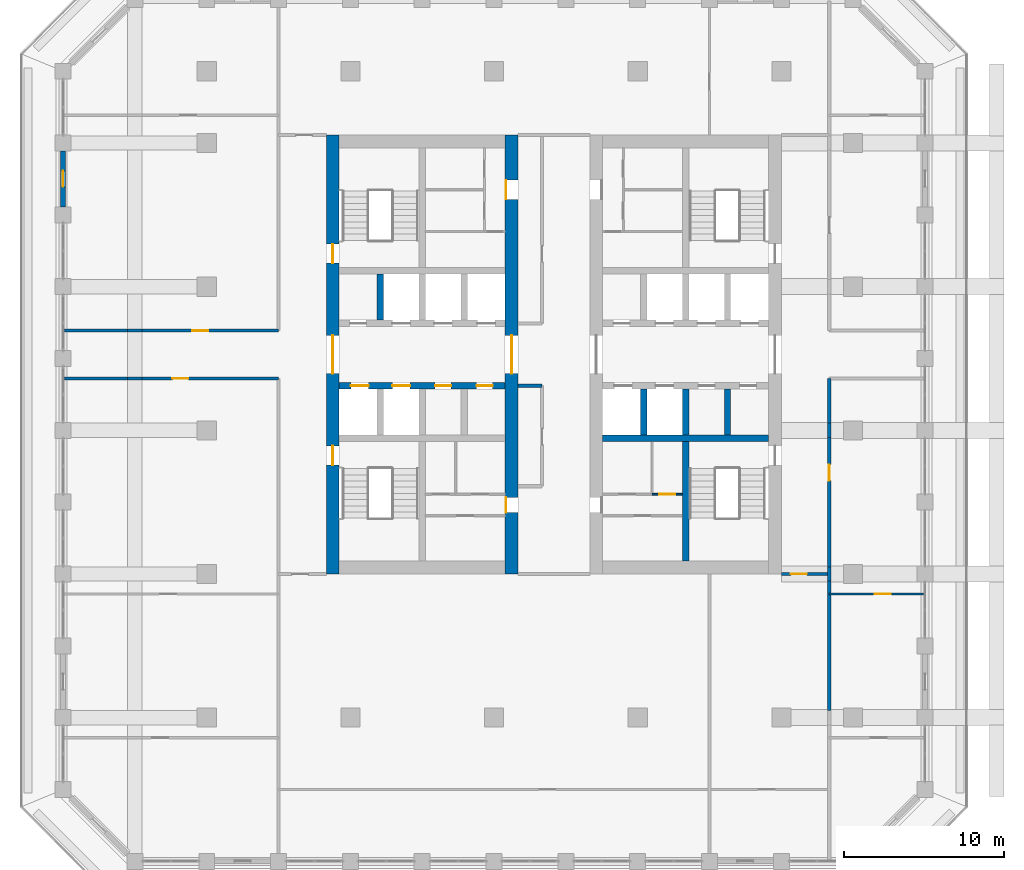
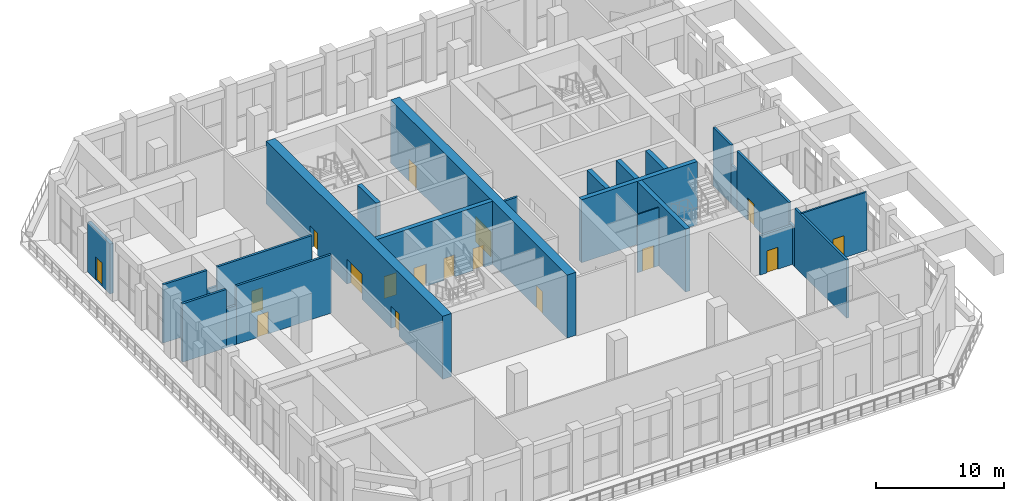
# One storey, part 14 of 25: 25 walls, 17 doors, 17 openings.
"""IFC4 building model written with IfcOpenShell, lengths in metres."""

from ifc_helpers import new_model, si_unit, direction, frame, frame_2d, origin, place, context, subcontext, project, spatial, rectangle, extrude, material, layer, layer_set, type_object, element, fill, save


model = new_model("IFC4")

# Units and contexts
model_context = context("Model", 3, precision=1e-05, world=origin(), true_north=direction((0.0, 1.0)))
body_context = subcontext(model_context, "Body", "Model", "MODEL_VIEW")
ifc_project = project(units=[si_unit("LENGTHUNIT", "METRE"), si_unit("AREAUNIT", "SQUARE_METRE"), si_unit("VOLUMEUNIT", "CUBIC_METRE"), si_unit("PLANEANGLEUNIT", "RADIAN"), si_unit("MASSUNIT", "GRAM", prefix="KILO")], contexts=[model_context])

# Site, building, storey
site_placement = place(None, origin())
site = spatial("IfcSite", under=ifc_project, at=site_placement, CompositionType="ELEMENT")
building_placement = place(site_placement, origin())
building = spatial("IfcBuilding", under=site, at=building_placement, Name="Corbel Stack Research Tower", CompositionType="ELEMENT")
storey_placement = place(building_placement, frame((0.0, 0.0, 185.5)))
storey = spatial("IfcBuildingStorey", under=building, at=storey_placement, Name="L42", CompositionType="ELEMENT", Elevation=185.5)

# Wall, openings, doors
ifc_material_1 = material(Name="Concrete C60/75", Category="concrete")
ifc_layer_1 = layer(ifc_material_1, 0.39990234375)
ifc_layer_set_1 = layer_set([ifc_layer_1], Name="Concrete C60/75")
wall_type_1 = type_object("IfcWallType", Name="CW-400-60", PredefinedType="SHEAR", material=ifc_layer_set_1)
wall_1_placement = place(storey_placement, frame((-9.699951171875, 2.800048828125, 0.0), z_axis=(0.0, 0.0, 1.0), x_axis=(1.0, 0.0, 0.0)))
wall_1 = element("IfcWall", 1, at=wall_1_placement, inside=storey, type_object=wall_type_1, Name="West core wall, lobby south L42", PredefinedType="SHEAR", context=body_context, shape_type="SweptSolid", body=[
    extrude(rectangle(XDim=10.39990234375, YDim=0.39990234375, at=frame_2d((5.199951171875, 0.0))), origin(), (0.0, 0.0, 1.0), 6.0),
])
opening_1_placement = place(wall_1_placement, frame((0.737548828125, 0.0, 0.0)))
opening_1 = element("IfcOpeningElement", 2, at=opening_1_placement, cuts=wall_1, Name="Opening LD-FS1", PredefinedType="OPENING", context=body_context, shape_type="SweptSolid", body=[
    extrude(rectangle(XDim=1.10009765625, YDim=2.10009765625, at=frame_2d((0.550048828125, 1.050048828125))), frame((0.0, 0.2099609375, 0.0), z_axis=(0.0, -1.0, 0.0), x_axis=(1.0, 0.0, 0.0)), (0.0, 0.0, 1.0), 0.419921875),
])
opening_2_placement = place(wall_1_placement, frame((3.33740234375, 0.0, 0.0)))
opening_2 = element("IfcOpeningElement", 3, at=opening_2_placement, cuts=wall_1, Name="Opening LD-GL1", PredefinedType="OPENING", context=body_context, shape_type="SweptSolid", body=[
    extrude(rectangle(XDim=1.10009765625, YDim=2.10009765625, at=frame_2d((0.550048828125, 1.050048828125))), frame((0.0, 0.2099609375, 0.0), z_axis=(0.0, -1.0, 0.0), x_axis=(1.0, 0.0, 0.0)), (0.0, 0.0, 1.0), 0.419921875),
])
opening_3_placement = place(wall_1_placement, frame((6.012451171875, 0.0, 0.0)))
opening_3 = element("IfcOpeningElement", 4, at=opening_3_placement, cuts=wall_1, Name="Opening CR-W24-S3", PredefinedType="OPENING", context=body_context, shape_type="SweptSolid", body=[
    extrude(rectangle(XDim=1.0, YDim=2.10009765625, at=frame_2d((0.5, 1.050048828125))), frame((0.0, 0.2099609375, 0.0), z_axis=(0.0, -1.0, 0.0), x_axis=(1.0, 0.0, 0.0)), (0.0, 0.0, 1.0), 0.419921875),
])
opening_4_placement = place(wall_1_placement, frame((8.612548828125, 0.0, 0.0)))
opening_4 = element("IfcOpeningElement", 5, at=opening_4_placement, cuts=wall_1, Name="Opening CR-W24-S4", PredefinedType="OPENING", context=body_context, shape_type="SweptSolid", body=[
    extrude(rectangle(XDim=1.0, YDim=2.10009765625, at=frame_2d((0.5, 1.050048828125))), frame((0.0, 0.2099609375, 0.0), z_axis=(0.0, -1.0, 0.0), x_axis=(1.0, 0.0, 0.0)), (0.0, 0.0, 1.0), 0.419921875),
])
ifc_material_2 = material(Name="Stainless steel landing door", Category="steel")
door_type_1 = type_object("IfcDoorType", Name="Lift landing door 1100 x 2100", OperationType="DOUBLE_DOOR_SLIDING", PredefinedType="DOOR", material=ifc_material_2)
door_1_placement = place(opening_1_placement, origin())
door_1 = element("IfcDoor", 6, at=door_1_placement, inside=storey, type_object=door_type_1, Name="Landing door FS1", OperationType="DOUBLE_DOOR_SLIDING", OverallHeight=2.10009765625, OverallWidth=1.10009765625, PredefinedType="DOOR", context=body_context, shape_type="SweptSolid", body=[
    extrude(rectangle(XDim=1.10009765625, YDim=2.10009765625, at=frame_2d((0.550048828125, 1.050048828125))), frame((0.0, 0.02490234375, 0.0), z_axis=(0.0, -1.0, 0.0), x_axis=(1.0, 0.0, 0.0)), (0.0, 0.0, 1.0), 0.050048828125),
])
fill(opening_1, door_1)
door_2_placement = place(opening_2_placement, origin())
door_2 = element("IfcDoor", 7, at=door_2_placement, inside=storey, type_object=door_type_1, Name="Landing door GL1", OperationType="DOUBLE_DOOR_SLIDING", OverallHeight=2.10009765625, OverallWidth=1.10009765625, PredefinedType="DOOR", context=body_context, shape_type="SweptSolid", body=[
    extrude(rectangle(XDim=1.10009765625, YDim=2.10009765625, at=frame_2d((0.550048828125, 1.050048828125))), frame((0.0, 0.02490234375, 0.0), z_axis=(0.0, -1.0, 0.0), x_axis=(1.0, 0.0, 0.0)), (0.0, 0.0, 1.0), 0.050048828125),
])
fill(opening_2, door_2)
ifc_material_3 = material(Name="Painted steel door", Category="steel")
door_type_2 = type_object("IfcDoorType", Name="Service door 1000 x 2100 FD60 left hand", OperationType="SINGLE_SWING_LEFT", PredefinedType="DOOR", material=ifc_material_3)
door_3_placement = place(opening_3_placement, origin())
door_3 = element("IfcDoor", 8, at=door_3_placement, inside=storey, type_object=door_type_2, Name="Records store door W core", OperationType="SINGLE_SWING_LEFT", OverallHeight=2.10009765625, OverallWidth=1.0, PredefinedType="DOOR", context=body_context, shape_type="SweptSolid", body=[
    extrude(rectangle(XDim=1.0, YDim=2.10009765625, at=frame_2d((0.5, 1.050048828125))), frame((0.0, 0.02490234375, 0.0), z_axis=(0.0, -1.0, 0.0), x_axis=(1.0, 0.0, 0.0)), (0.0, 0.0, 1.0), 0.050048828125),
])
fill(opening_3, door_3)
ifc_material_4 = material(Name="Painted steel door", Category="steel")
door_type_3 = type_object("IfcDoorType", Name="Service door 1000 x 2100 FD60 right hand", OperationType="SINGLE_SWING_RIGHT", PredefinedType="DOOR", material=ifc_material_4)
door_4_placement = place(opening_4_placement, origin())
door_4 = element("IfcDoor", 9, at=door_4_placement, inside=storey, type_object=door_type_3, Name="Electrical room door W core", OperationType="SINGLE_SWING_RIGHT", OverallHeight=2.10009765625, OverallWidth=1.0, PredefinedType="DOOR", context=body_context, shape_type="SweptSolid", body=[
    extrude(rectangle(XDim=1.0, YDim=2.10009765625, at=frame_2d((0.5, 1.050048828125))), frame((0.0, 0.02490234375, 0.0), z_axis=(0.0, -1.0, 0.0), x_axis=(1.0, 0.0, 0.0)), (0.0, 0.0, 1.0), 0.050048828125),
])
fill(opening_4, door_4)

# Walls
wall_2_placement = place(storey_placement, frame((-7.125, 6.89990234375, 0.0), z_axis=(0.0, 0.0, 1.0), x_axis=(0.0, 1.0, 0.0)))
element("IfcWall", 10, at=wall_2_placement, inside=storey, type_object=wall_type_1, Name="West core wall, north shaft 1 L42", PredefinedType="SHEAR", context=body_context, shape_type="SweptSolid", body=[
    extrude(rectangle(XDim=2.900146484375, YDim=0.39990234375, at=frame_2d((1.4501953125, 0.0))), origin(), (0.0, 0.0, 1.0), 6.0),
])
wall_3_placement = place(storey_placement, frame((6.800048828125, -0.5, 0.0), z_axis=(0.0, 0.0, 1.0), x_axis=(1.0, 0.0, 0.0)))
element("IfcWall", 11, at=wall_3_placement, inside=storey, type_object=wall_type_1, Name="East core wall, south row back L42", PredefinedType="SHEAR", context=body_context, shape_type="SweptSolid", body=[
    extrude(rectangle(XDim=10.39990234375, YDim=0.39990234375, at=frame_2d((5.199951171875, 0.0))), origin(), (0.0, 0.0, 1.0), 6.0),
])
for number, where, z_axis, x_axis, name in (
    (12, (9.375, -0.300048828125, 0.0), (0.0, 0.0, 1.0), (0.0, 1.0, 0.0), "East core wall, south shaft 1 L42"),
    (13, (12.0, -0.300048828125, 0.0), (0.0, 0.0, 1.0), (0.0, 1.0, 0.0), "East core wall, south shaft 2 L42"),
    (14, (14.625, -0.300048828125, 0.0), (0.0, 0.0, 1.0), (0.0, 1.0, 0.0), "East core wall, south shaft 3 L42"),
):
    element("IfcWall", number, at=place(storey_placement, frame(where, z_axis=z_axis, x_axis=x_axis)), inside=storey, type_object=wall_type_1, Name=name, PredefinedType="SHEAR", context=body_context, shape_type="SweptSolid", body=[
        extrude(rectangle(XDim=2.900146484375, YDim=0.39990234375, at=frame_2d((1.4501953125, 0.0))), origin(), (0.0, 0.0, 1.0), 6.0),
    ])
wall_4_placement = place(storey_placement, frame((12.0, -8.199951171875, 0.0), z_axis=(0.0, 0.0, 1.0), x_axis=(0.0, 1.0, 0.0)))
element("IfcWall", 15, at=wall_4_placement, inside=storey, type_object=wall_type_1, Name="East core wall, south stair and WC L42", PredefinedType="SHEAR", context=body_context, shape_type="SweptSolid", body=[
    extrude(rectangle(XDim=7.5, YDim=0.39990234375, at=frame_2d((3.75, 0.0))), origin(), (0.0, 0.0, 1.0), 6.0),
])

# Wall, openings, doors
ifc_material_5 = material(Name="Concrete C60/75", Category="concrete")
ifc_layer_2 = layer(ifc_material_5, 0.800048828125)
ifc_layer_set_2 = layer_set([ifc_layer_2], Name="Concrete C60/75")
wall_type_2 = type_object("IfcWallType", Name="CW-800-60", PredefinedType="SHEAR", material=ifc_layer_set_2)
wall_5_placement = place(storey_placement, frame((-10.10009765625, -9.0, 0.0), z_axis=(0.0, 0.0, 1.0), x_axis=(0.0, 1.0, 0.0)))
wall_5 = element("IfcWall", 16, at=wall_5_placement, inside=storey, type_object=wall_type_2, Name="West core wall, west face L42", PredefinedType="SHEAR", context=body_context, shape_type="SweptSolid", body=[
    extrude(rectangle(XDim=27.5, YDim=0.800048828125, at=frame_2d((13.75, 0.0))), origin(), (0.0, 0.0, 1.0), 6.0),
])
opening_5_placement = place(wall_5_placement, frame((12.550048828125, 0.0, 0.0)))
opening_5 = element("IfcOpeningElement", 17, at=opening_5_placement, cuts=wall_5, Name="Opening CD-W-W", PredefinedType="OPENING", context=body_context, shape_type="SweptSolid", body=[
    extrude(rectangle(XDim=2.39990234375, YDim=2.39990234375, at=frame_2d((1.199951171875, 1.199951171875))), frame((0.0, 0.409912109375, 0.0), z_axis=(0.0, -1.0, 0.0), x_axis=(1.0, 0.0, 0.0)), (0.0, 0.0, 1.0), 0.820068359375),
])
opening_6_placement = place(wall_5_placement, frame((6.824951171875, 0.0, 0.0)))
opening_6 = element("IfcOpeningElement", 18, at=opening_6_placement, cuts=wall_5, Name="Opening SD-ST-W1", PredefinedType="OPENING", context=body_context, shape_type="SweptSolid", body=[
    extrude(rectangle(XDim=1.199951171875, YDim=2.10009765625, at=frame_2d((0.60009765625, 1.050048828125))), frame((0.0, 0.409912109375, 0.0), z_axis=(0.0, -1.0, 0.0), x_axis=(1.0, 0.0, 0.0)), (0.0, 0.0, 1.0), 0.820068359375),
])
opening_7_placement = place(wall_5_placement, frame((19.47509765625, 0.0, 0.0)))
opening_7 = element("IfcOpeningElement", 19, at=opening_7_placement, cuts=wall_5, Name="Opening SD-ST-W2", PredefinedType="OPENING", context=body_context, shape_type="SweptSolid", body=[
    extrude(rectangle(XDim=1.199951171875, YDim=2.10009765625, at=frame_2d((0.60009765625, 1.050048828125))), frame((0.0, 0.409912109375, 0.0), z_axis=(0.0, -1.0, 0.0), x_axis=(1.0, 0.0, 0.0)), (0.0, 0.0, 1.0), 0.820068359375),
])
ifc_material_6 = material(Name="Painted steel fire door", Category="steel")
door_type_4 = type_object("IfcDoorType", Name="Lobby door pair 2400 x 2400 FD30S", OperationType="DOUBLE_DOOR_DOUBLE_SWING", PredefinedType="DOOR", material=ifc_material_6)
door_5_placement = place(opening_5_placement, origin())
door_5 = element("IfcDoor", 20, at=door_5_placement, inside=storey, type_object=door_type_4, Name="Lift lobby door W core W", OperationType="DOUBLE_DOOR_DOUBLE_SWING", OverallHeight=2.39990234375, OverallWidth=2.39990234375, PredefinedType="DOOR", context=body_context, shape_type="SweptSolid", body=[
    extrude(rectangle(XDim=2.39990234375, YDim=2.39990234375, at=frame_2d((1.199951171875, 1.199951171875))), frame((0.0, 0.02490234375, 0.0), z_axis=(0.0, -1.0, 0.0), x_axis=(1.0, 0.0, 0.0)), (0.0, 0.0, 1.0), 0.050048828125),
])
fill(opening_5, door_5)
ifc_material_7 = material(Name="Painted steel fire door", Category="steel")
door_type_5 = type_object("IfcDoorType", Name="Stair door 1200 x 2100 FD90 left hand", OperationType="SINGLE_SWING_LEFT", PredefinedType="DOOR", material=ifc_material_7)
door_6_placement = place(opening_6_placement, origin())
door_6 = element("IfcDoor", 21, at=door_6_placement, inside=storey, type_object=door_type_5, Name="Stair door ST-W1", OperationType="SINGLE_SWING_LEFT", OverallHeight=2.10009765625, OverallWidth=1.199951171875, PredefinedType="DOOR", context=body_context, shape_type="SweptSolid", body=[
    extrude(rectangle(XDim=1.199951171875, YDim=2.10009765625, at=frame_2d((0.60009765625, 1.050048828125))), frame((0.0, 0.02490234375, 0.0), z_axis=(0.0, -1.0, 0.0), x_axis=(1.0, 0.0, 0.0)), (0.0, 0.0, 1.0), 0.050048828125),
])
fill(opening_6, door_6)
door_7_placement = place(opening_7_placement, origin())
door_7 = element("IfcDoor", 22, at=door_7_placement, inside=storey, type_object=door_type_5, Name="Stair door ST-W2", OperationType="SINGLE_SWING_LEFT", OverallHeight=2.10009765625, OverallWidth=1.199951171875, PredefinedType="DOOR", context=body_context, shape_type="SweptSolid", body=[
    extrude(rectangle(XDim=1.199951171875, YDim=2.10009765625, at=frame_2d((0.60009765625, 1.050048828125))), frame((0.0, 0.02490234375, 0.0), z_axis=(0.0, -1.0, 0.0), x_axis=(1.0, 0.0, 0.0)), (0.0, 0.0, 1.0), 0.050048828125),
])
fill(opening_7, door_7)

wall_6_placement = place(storey_placement, frame((1.10009765625, -9.0, 0.0), z_axis=(0.0, 0.0, 1.0), x_axis=(0.0, 1.0, 0.0)))
wall_6 = element("IfcWall", 23, at=wall_6_placement, inside=storey, type_object=wall_type_2, Name="West core wall, east face L42", PredefinedType="SHEAR", context=body_context, shape_type="SweptSolid", body=[
    extrude(rectangle(XDim=27.5, YDim=0.800048828125, at=frame_2d((13.75, 0.0))), origin(), (0.0, 0.0, 1.0), 6.0),
])
opening_8_placement = place(wall_6_placement, frame((12.550048828125, 0.0, 0.0)))
opening_8 = element("IfcOpeningElement", 24, at=opening_8_placement, cuts=wall_6, Name="Opening CD-W-E", PredefinedType="OPENING", context=body_context, shape_type="SweptSolid", body=[
    extrude(rectangle(XDim=2.39990234375, YDim=2.39990234375, at=frame_2d((1.199951171875, 1.199951171875))), frame((0.0, 0.409912109375, 0.0), z_axis=(0.0, -1.0, 0.0), x_axis=(1.0, 0.0, 0.0)), (0.0, 0.0, 1.0), 0.820068359375),
])
opening_9_placement = place(wall_6_placement, frame((3.85009765625, 0.0, 0.0)))
opening_9 = element("IfcOpeningElement", 25, at=opening_9_placement, cuts=wall_6, Name="Opening CR-W24-W1-950", PredefinedType="OPENING", context=body_context, shape_type="SweptSolid", body=[
    extrude(rectangle(XDim=0.949951171875, YDim=2.10009765625, at=frame_2d((0.47509765625, 1.050048828125))), frame((0.0, 0.409912109375, 0.0), z_axis=(0.0, -1.0, 0.0), x_axis=(1.0, 0.0, 0.0)), (0.0, 0.0, 1.0), 0.820068359375),
])
opening_10_placement = place(wall_6_placement, frame((23.47509765625, 0.0, 0.0)))
opening_10 = element("IfcOpeningElement", 26, at=opening_10_placement, cuts=wall_6, Name="Opening CR-W24-R2-1200", PredefinedType="OPENING", context=body_context, shape_type="SweptSolid", body=[
    extrude(rectangle(XDim=1.199951171875, YDim=2.10009765625, at=frame_2d((0.60009765625, 1.050048828125))), frame((0.0, 0.409912109375, 0.0), z_axis=(0.0, -1.0, 0.0), x_axis=(1.0, 0.0, 0.0)), (0.0, 0.0, 1.0), 0.820068359375),
])
door_8_placement = place(opening_8_placement, origin())
door_8 = element("IfcDoor", 27, at=door_8_placement, inside=storey, type_object=door_type_4, Name="Lift lobby door W core E", OperationType="DOUBLE_DOOR_DOUBLE_SWING", OverallHeight=2.39990234375, OverallWidth=2.39990234375, PredefinedType="DOOR", context=body_context, shape_type="SweptSolid", body=[
    extrude(rectangle(XDim=2.39990234375, YDim=2.39990234375, at=frame_2d((1.199951171875, 1.199951171875))), frame((0.0, 0.02490234375, 0.0), z_axis=(0.0, -1.0, 0.0), x_axis=(1.0, 0.0, 0.0)), (0.0, 0.0, 1.0), 0.050048828125),
])
fill(opening_8, door_8)
ifc_material_8 = material(Name="Painted steel door", Category="steel")
door_type_6 = type_object("IfcDoorType", Name="Service door 1200 x 2100 FD30 right hand", OperationType="SINGLE_SWING_RIGHT", PredefinedType="DOOR", material=ifc_material_8)
door_9_placement = place(opening_10_placement, origin())
door_9 = element("IfcDoor", 28, at=door_9_placement, inside=storey, type_object=door_type_6, Name="Service passage door W core", OperationType="SINGLE_SWING_RIGHT", OverallHeight=2.10009765625, OverallWidth=1.199951171875, PredefinedType="DOOR", context=body_context, shape_type="SweptSolid", body=[
    extrude(rectangle(XDim=1.199951171875, YDim=2.10009765625, at=frame_2d((0.60009765625, 1.050048828125))), frame((0.0, 0.375, 0.0), z_axis=(0.0, -1.0, 0.0), x_axis=(1.0, 0.0, 0.0)), (0.0, 0.0, 1.0), 0.050048828125),
])
fill(opening_10, door_9)
ifc_material_9 = material(Name="Painted timber door", Category="wood")
door_type_7 = type_object("IfcDoorType", Name="WC door 950 x 2100 left hand", OperationType="SINGLE_SWING_LEFT", PredefinedType="DOOR", material=ifc_material_9)
door_10_placement = place(opening_9_placement, origin())
door_10 = element("IfcDoor", 29, at=door_10_placement, inside=storey, type_object=door_type_7, Name="WC lobby door W core", OperationType="SINGLE_SWING_LEFT", OverallHeight=2.10009765625, OverallWidth=0.949951171875, PredefinedType="DOOR", context=body_context, shape_type="SweptSolid", body=[
    extrude(rectangle(XDim=0.949951171875, YDim=2.10009765625, at=frame_2d((0.47509765625, 1.050048828125))), frame((0.0, 0.375, 0.0), z_axis=(0.0, -1.0, 0.0), x_axis=(1.0, 0.0, 0.0)), (0.0, 0.0, 1.0), 0.050048828125),
])
fill(opening_9, door_10)

# Wall, opening, door
ifc_material_10 = material(Name="Gypsum board")
ifc_layer_3 = layer(ifc_material_10, 0.10009765625)
ifc_layer_set_3 = layer_set([ifc_layer_3], Name="Gypsum board")
wall_type_3 = type_object("IfcWallType", Name="Core partition 100", PredefinedType="PARTITIONING", material=ifc_layer_set_3)
wall_7_placement = place(storey_placement, frame((9.89990234375, -4.0, 0.0), z_axis=(0.0, 0.0, 1.0), x_axis=(1.0, 0.0, 0.0)))
wall_7 = element("IfcWall", 30, at=wall_7_placement, inside=storey, type_object=wall_type_3, Name="Core partition E", PredefinedType="PARTITIONING", context=body_context, shape_type="SweptSolid", body=[
    extrude(rectangle(XDim=1.900146484375, YDim=0.10009765625, at=frame_2d((0.9501953125, 0.0))), origin(), (0.0, 0.0, 1.0), 5.550048828125),
])
opening_11_placement = place(wall_7_placement, frame((0.449951171875, 0.0, 0.0)))
opening_11 = element("IfcOpeningElement", 31, at=opening_11_placement, cuts=wall_7, Name="Opening CR-E24-W4-1000", PredefinedType="OPENING", context=body_context, shape_type="SweptSolid", body=[
    extrude(rectangle(XDim=1.0, YDim=2.10009765625, at=frame_2d((0.5, 1.050048828125))), frame((0.0, 0.06005859375, 0.0), z_axis=(0.0, -1.0, 0.0), x_axis=(1.0, 0.0, 0.0)), (0.0, 0.0, 1.0), 0.1201171875),
])
ifc_material_11 = material(Name="Painted timber door", Category="wood")
door_type_8 = type_object("IfcDoorType", Name="WC door 1000 x 2100 left hand", OperationType="SINGLE_SWING_LEFT", PredefinedType="DOOR", material=ifc_material_11)
door_11_placement = place(opening_11_placement, origin())
door_11 = element("IfcDoor", 32, at=door_11_placement, inside=storey, type_object=door_type_8, Name="Accessible WC door E core", OperationType="SINGLE_SWING_LEFT", OverallHeight=2.10009765625, OverallWidth=1.0, PredefinedType="DOOR", context=body_context, shape_type="SweptSolid", body=[
    extrude(rectangle(XDim=1.0, YDim=2.10009765625, at=frame_2d((0.5, 1.050048828125))), frame((0.0, 0.02490234375, 0.0), z_axis=(0.0, -1.0, 0.0), x_axis=(1.0, 0.0, 0.0)), (0.0, 0.0, 1.0), 0.050048828125),
])
fill(opening_11, door_11)

# Walls
ifc_material_12 = material(Name="Fire-rated gypsum board partition on steel studs", Category="steel")
ifc_layer_4 = layer(ifc_material_12, 0.199951171875)
ifc_layer_set_4 = layer_set([ifc_layer_4], Name="Fire-rated gypsum board partition on steel studs")
wall_type_4 = type_object("IfcWallType", Name="Fire-rated partition 200 EI 60", PredefinedType="PARTITIONING", material=ifc_layer_set_4)
wall_8_placement = place(storey_placement, frame((21.0, -17.550048828125, 0.0), z_axis=(0.0, 0.0, 1.0), x_axis=(0.0, 1.0, 0.0)))
element("IfcWall", 33, at=wall_8_placement, inside=storey, type_object=wall_type_4, Name="Partition L42-009", PredefinedType="PARTITIONING", context=body_context, shape_type="SweptSolid", body=[
    extrude(rectangle(XDim=8.10009765625, YDim=0.199951171875, at=frame_2d((4.050048828125, 0.0))), origin(), (0.0, 0.0, 1.0), 5.550048828125),
])
wall_9_placement = place(storey_placement, frame((21.0, -9.449951171875, 0.0), z_axis=(0.0, 0.0, 1.0), x_axis=(0.0, 1.0, 0.0)))
element("IfcWall", 34, at=wall_9_placement, inside=storey, type_object=wall_type_4, Name="Partition L42-010", PredefinedType="PARTITIONING", context=body_context, shape_type="SweptSolid", body=[
    extrude(rectangle(XDim=0.89990234375, YDim=0.199951171875, at=frame_2d((0.449951171875, 0.0))), origin(), (0.0, 0.0, 1.0), 3.719970703125),
])

# Wall, opening, door
wall_10_placement = place(storey_placement, frame((21.0, -0.449951171875, 0.0), z_axis=(0.0, 0.0, 1.0), x_axis=(0.0, -1.0, 0.0)))
wall_10 = element("IfcWall", 35, at=wall_10_placement, inside=storey, type_object=wall_type_4, Name="Partition L42-011", PredefinedType="PARTITIONING", context=body_context, shape_type="SweptSolid", body=[
    extrude(rectangle(XDim=8.10009765625, YDim=0.199951171875, at=frame_2d((4.050048828125, 0.0))), origin(), (0.0, 0.0, 1.0), 5.550048828125),
])
opening_12_placement = place(wall_10_placement, frame((1.699951171875, 0.0, 0.0)))
opening_12 = element("IfcOpeningElement", 36, at=opening_12_placement, cuts=wall_10, Name="Opening B5AM-017", PredefinedType="OPENING", context=body_context, shape_type="SweptSolid", body=[
    extrude(rectangle(XDim=1.0, YDim=2.10009765625, at=frame_2d((0.5, 1.050048828125))), frame((0.0, 0.10986328125, 0.0), z_axis=(0.0, -1.0, 0.0), x_axis=(1.0, 0.0, 0.0)), (0.0, 0.0, 1.0), 0.219970703125),
])
ifc_material_13 = material(Name="Painted steel fire door", Category="steel")
door_type_9 = type_object("IfcDoorType", Name="Fire door FD30S 1000 x 2100", OperationType="NOTDEFINED", PredefinedType="DOOR", material=ifc_material_13)
door_12_placement = place(opening_12_placement, origin())
door_12 = element("IfcDoor", 37, at=door_12_placement, inside=storey, type_object=door_type_9, Name="Door B5AM-017", OperationType="SINGLE_SWING_LEFT", OverallHeight=2.10009765625, OverallWidth=1.0, PredefinedType="DOOR", context=body_context, shape_type="SweptSolid", body=[
    extrude(rectangle(XDim=1.0, YDim=2.10009765625, at=frame_2d((0.5, 1.050048828125))), frame((0.0, 0.02490234375, 0.0), z_axis=(0.0, -1.0, 0.0), x_axis=(1.0, 0.0, 0.0)), (0.0, 0.0, 1.0), 0.050048828125),
])
fill(opening_12, door_12)

# Walls
wall_11_placement = place(storey_placement, frame((21.0, -0.449951171875, 0.0), z_axis=(0.0, 0.0, 1.0), x_axis=(0.0, 1.0, 0.0)))
element("IfcWall", 38, at=wall_11_placement, inside=storey, type_object=wall_type_4, Name="Partition L42-012", PredefinedType="PARTITIONING", context=body_context, shape_type="SweptSolid", body=[
    extrude(rectangle(XDim=0.89990234375, YDim=0.199951171875, at=frame_2d((0.449951171875, 0.0))), origin(), (0.0, 0.0, 1.0), 3.719970703125),
])
wall_12_placement = place(storey_placement, frame((21.0, 0.449951171875, 0.0), z_axis=(0.0, 0.0, 1.0), x_axis=(0.0, 1.0, 0.0)))
element("IfcWall", 39, at=wall_12_placement, inside=storey, type_object=wall_type_4, Name="Partition L42-013", PredefinedType="PARTITIONING", context=body_context, shape_type="SweptSolid", body=[
    extrude(rectangle(XDim=2.800048828125, YDim=0.199951171875, at=frame_2d((1.39990234375, 0.0))), origin(), (0.0, 0.0, 1.0), 5.550048828125),
])

# Wall, opening, door
wall_13_placement = place(storey_placement, frame((21.0, -9.0, 0.0), z_axis=(0.0, 0.0, 1.0), x_axis=(-1.0, 0.0, 0.0)))
wall_13 = element("IfcWall", 40, at=wall_13_placement, inside=storey, type_object=wall_type_4, Name="Partition L42-030", PredefinedType="PARTITIONING", context=body_context, shape_type="SweptSolid", body=[
    extrude(rectangle(XDim=3.0, YDim=0.199951171875, at=frame_2d((1.5, 0.0))), origin(), (0.0, 0.0, 1.0), 3.719970703125),
])
opening_13_placement = place(wall_13_placement, frame((1.39990234375, 0.0, 0.0)))
opening_13 = element("IfcOpeningElement", 41, at=opening_13_placement, cuts=wall_13, Name="Opening B5AM-008", PredefinedType="OPENING", context=body_context, shape_type="SweptSolid", body=[
    extrude(rectangle(XDim=1.0, YDim=2.10009765625, at=frame_2d((0.5, 1.050048828125))), frame((0.0, 0.10986328125, 0.0), z_axis=(0.0, -1.0, 0.0), x_axis=(1.0, 0.0, 0.0)), (0.0, 0.0, 1.0), 0.219970703125),
])
door_13_placement = place(opening_13_placement, origin())
door_13 = element("IfcDoor", 42, at=door_13_placement, inside=storey, type_object=door_type_9, Name="Door B5AM-008", OperationType="SINGLE_SWING_RIGHT", OverallHeight=2.10009765625, OverallWidth=1.0, PredefinedType="DOOR", context=body_context, shape_type="SweptSolid", body=[
    extrude(rectangle(XDim=1.0, YDim=2.10009765625, at=frame_2d((0.5, 1.050048828125))), frame((0.0, 0.02490234375, 0.0), z_axis=(0.0, -1.0, 0.0), x_axis=(1.0, 0.0, 0.0)), (0.0, 0.0, 1.0), 0.050048828125),
])
fill(opening_13, door_13)

# Walls
wall_14_placement = place(storey_placement, frame((1.5, 2.800048828125, 0.0), z_axis=(0.0, 0.0, 1.0), x_axis=(1.0, 0.0, 0.0)))
element("IfcWall", 43, at=wall_14_placement, inside=storey, type_object=wall_type_4, Name="Partition L42-032", PredefinedType="PARTITIONING", context=body_context, shape_type="SweptSolid", body=[
    extrude(rectangle(XDim=1.5, YDim=0.199951171875, at=frame_2d((0.75, 0.0))), origin(), (0.0, 0.0, 1.0), 5.550048828125),
])
wall_15_placement = place(storey_placement, frame((-26.89990234375, 3.25, 0.0), z_axis=(0.0, 0.0, 1.0), x_axis=(1.0, 0.0, 0.0)))
element("IfcWall", 44, at=wall_15_placement, inside=storey, type_object=wall_type_4, Name="Partition L42-033", PredefinedType="PARTITIONING", context=body_context, shape_type="SweptSolid", body=[
    extrude(rectangle(XDim=3.949951171875, YDim=0.199951171875, at=frame_2d((1.97509765625, 0.0))), origin(), (0.0, 0.0, 1.0), 5.550048828125),
])
wall_16_placement = place(storey_placement, frame((-22.949951171875, 3.25, 0.0), z_axis=(0.0, 0.0, 1.0), x_axis=(1.0, 0.0, 0.0)))
element("IfcWall", 45, at=wall_16_placement, inside=storey, type_object=wall_type_4, Name="Partition L42-034", PredefinedType="PARTITIONING", context=body_context, shape_type="SweptSolid", body=[
    extrude(rectangle(XDim=0.89990234375, YDim=0.199951171875, at=frame_2d((0.449951171875, 0.0))), origin(), (0.0, 0.0, 1.0), 3.719970703125),
])

# Wall, opening, door
wall_17_placement = place(storey_placement, frame((-13.5, 3.25, 0.0), z_axis=(0.0, 0.0, 1.0), x_axis=(-1.0, 0.0, 0.0)))
wall_17 = element("IfcWall", 46, at=wall_17_placement, inside=storey, type_object=wall_type_4, Name="Partition L42-035", PredefinedType="PARTITIONING", context=body_context, shape_type="SweptSolid", body=[
    extrude(rectangle(XDim=8.550048828125, YDim=0.199951171875, at=frame_2d((4.27490234375, 0.0))), origin(), (0.0, 0.0, 1.0), 5.550048828125),
])
opening_14_placement = place(wall_17_placement, frame((5.64990234375, 0.0, 0.0)))
opening_14 = element("IfcOpeningElement", 47, at=opening_14_placement, cuts=wall_17, Name="Opening B5AM-011", PredefinedType="OPENING", context=body_context, shape_type="SweptSolid", body=[
    extrude(rectangle(XDim=1.0, YDim=2.10009765625, at=frame_2d((0.5, 1.050048828125))), frame((0.0, 0.10986328125, 0.0), z_axis=(0.0, -1.0, 0.0), x_axis=(1.0, 0.0, 0.0)), (0.0, 0.0, 1.0), 0.219970703125),
])
door_14_placement = place(opening_14_placement, origin())
door_14 = element("IfcDoor", 48, at=door_14_placement, inside=storey, type_object=door_type_9, Name="Door B5AM-011", OperationType="SINGLE_SWING_RIGHT", OverallHeight=2.10009765625, OverallWidth=1.0, PredefinedType="DOOR", context=body_context, shape_type="SweptSolid", body=[
    extrude(rectangle(XDim=1.0, YDim=2.10009765625, at=frame_2d((0.5, 1.050048828125))), frame((0.0, 0.02490234375, 0.0), z_axis=(0.0, -1.0, 0.0), x_axis=(1.0, 0.0, 0.0)), (0.0, 0.0, 1.0), 0.050048828125),
])
fill(opening_14, door_14)

# Walls
wall_18_placement = place(storey_placement, frame((-26.89990234375, 6.25, 0.0), z_axis=(0.0, 0.0, 1.0), x_axis=(1.0, 0.0, 0.0)))
element("IfcWall", 49, at=wall_18_placement, inside=storey, type_object=wall_type_4, Name="Partition L42-037", PredefinedType="PARTITIONING", context=body_context, shape_type="SweptSolid", body=[
    extrude(rectangle(XDim=3.949951171875, YDim=0.199951171875, at=frame_2d((1.97509765625, 0.0))), origin(), (0.0, 0.0, 1.0), 5.550048828125),
])
wall_19_placement = place(storey_placement, frame((-22.949951171875, 6.25, 0.0), z_axis=(0.0, 0.0, 1.0), x_axis=(1.0, 0.0, 0.0)))
element("IfcWall", 50, at=wall_19_placement, inside=storey, type_object=wall_type_4, Name="Partition L42-038", PredefinedType="PARTITIONING", context=body_context, shape_type="SweptSolid", body=[
    extrude(rectangle(XDim=0.89990234375, YDim=0.199951171875, at=frame_2d((0.449951171875, 0.0))), origin(), (0.0, 0.0, 1.0), 3.719970703125),
])

# Wall, opening, door
wall_20_placement = place(storey_placement, frame((-22.050048828125, 6.25, 0.0), z_axis=(0.0, 0.0, 1.0), x_axis=(1.0, 0.0, 0.0)))
wall_20 = element("IfcWall", 51, at=wall_20_placement, inside=storey, type_object=wall_type_4, Name="Partition L42-039", PredefinedType="PARTITIONING", context=body_context, shape_type="SweptSolid", body=[
    extrude(rectangle(XDim=8.550048828125, YDim=0.199951171875, at=frame_2d((4.27490234375, 0.0))), origin(), (0.0, 0.0, 1.0), 5.550048828125),
])
opening_15_placement = place(wall_20_placement, frame((3.14990234375, 0.0, 0.0)))
opening_15 = element("IfcOpeningElement", 52, at=opening_15_placement, cuts=wall_20, Name="Opening B5AM-012", PredefinedType="OPENING", context=body_context, shape_type="SweptSolid", body=[
    extrude(rectangle(XDim=1.0, YDim=2.10009765625, at=frame_2d((0.5, 1.050048828125))), frame((0.0, 0.10986328125, 0.0), z_axis=(0.0, -1.0, 0.0), x_axis=(1.0, 0.0, 0.0)), (0.0, 0.0, 1.0), 0.219970703125),
])
door_15_placement = place(opening_15_placement, origin())
door_15 = element("IfcDoor", 53, at=door_15_placement, inside=storey, type_object=door_type_9, Name="Door B5AM-012", OperationType="SINGLE_SWING_LEFT", OverallHeight=2.10009765625, OverallWidth=1.0, PredefinedType="DOOR", context=body_context, shape_type="SweptSolid", body=[
    extrude(rectangle(XDim=1.0, YDim=2.10009765625, at=frame_2d((0.5, 1.050048828125))), frame((0.0, 0.02490234375, 0.0), z_axis=(0.0, -1.0, 0.0), x_axis=(1.0, 0.0, 0.0)), (0.0, 0.0, 1.0), 0.050048828125),
])
fill(opening_15, door_15)

ifc_material_14 = material(Name="Gypsum board partition on steel studs", Category="steel")
ifc_layer_5 = layer(ifc_material_14, 0.14990234375)
ifc_layer_set_5 = layer_set([ifc_layer_5], Name="Gypsum board partition on steel studs")
wall_type_5 = type_object("IfcWallType", Name="Partition 150", PredefinedType="PARTITIONING", material=ifc_layer_set_5)
wall_21_placement = place(storey_placement, frame((26.89990234375, -10.25, 0.0), z_axis=(0.0, 0.0, 1.0), x_axis=(-1.0, 0.0, 0.0)))
wall_21 = element("IfcWall", 54, at=wall_21_placement, inside=storey, type_object=wall_type_5, Name="Partition L42-027", PredefinedType="PARTITIONING", context=body_context, shape_type="SweptSolid", body=[
    extrude(rectangle(XDim=5.89990234375, YDim=0.14990234375, at=frame_2d((2.949951171875, 0.0))), origin(), (0.0, 0.0, 1.0), 5.550048828125),
])
opening_16_placement = place(wall_21_placement, frame((2.050048828125, 0.0, 0.0)))
opening_16 = element("IfcOpeningElement", 55, at=opening_16_placement, cuts=wall_21, Name="Opening B5AM-006", PredefinedType="OPENING", context=body_context, shape_type="SweptSolid", body=[
    extrude(rectangle(XDim=1.0, YDim=2.10009765625, at=frame_2d((0.5, 1.050048828125))), frame((0.0, 0.0849609375, 0.0), z_axis=(0.0, -1.0, 0.0), x_axis=(1.0, 0.0, 0.0)), (0.0, 0.0, 1.0), 0.169921875),
])
ifc_material_15 = material(Name="Painted timber door", Category="wood")
door_type_10 = type_object("IfcDoorType", Name="Single door 1000 x 2100", OperationType="NOTDEFINED", PredefinedType="DOOR", material=ifc_material_15)
door_16_placement = place(opening_16_placement, origin())
door_16 = element("IfcDoor", 56, at=door_16_placement, inside=storey, type_object=door_type_10, Name="Door B5AM-006", OperationType="SINGLE_SWING_LEFT", OverallHeight=2.10009765625, OverallWidth=1.0, PredefinedType="DOOR", context=body_context, shape_type="SweptSolid", body=[
    extrude(rectangle(XDim=1.0, YDim=2.10009765625, at=frame_2d((0.5, 1.050048828125))), frame((0.0, 0.02490234375, 0.0), z_axis=(0.0, -1.0, 0.0), x_axis=(1.0, 0.0, 0.0)), (0.0, 0.0, 1.0), 0.050048828125),
])
fill(opening_16, door_16)

ifc_material_16 = material(Name="Concrete C45/55", Category="concrete")
ifc_layer_6 = layer(ifc_material_16, 0.300048828125)
ifc_layer_set_6 = layer_set([ifc_layer_6], Name="Concrete C45/55")
wall_type_6 = type_object("IfcWallType", Name="Terracotta-faced concrete wall 300", PredefinedType="SOLIDWALL", material=ifc_layer_set_6)
wall_22_placement = place(storey_placement, frame((-27.0, 14.0, 0.0), z_axis=(0.0, 0.0, 1.0), x_axis=(0.0, 1.0, 0.0)))
wall_22 = element("IfcWall", 57, at=wall_22_placement, inside=storey, type_object=wall_type_6, Name="Facade wall L42 W02", PredefinedType="SOLIDWALL", context=body_context, shape_type="SweptSolid", body=[
    extrude(rectangle(XDim=3.5, YDim=0.300048828125, at=frame_2d((1.75, 0.0))), origin(), (0.0, 0.0, 1.0), 4.75),
])
opening_17_placement = place(wall_22_placement, frame((1.25, 0.0, 0.0)))
opening_17 = element("IfcOpeningElement", 58, at=opening_17_placement, cuts=wall_22, Name="Opening L42-B10", PredefinedType="OPENING", context=body_context, shape_type="SweptSolid", body=[
    extrude(rectangle(XDim=1.0, YDim=2.199951171875, at=frame_2d((0.5, 1.10009765625))), frame((0.0, 0.159912109375, 0.0), z_axis=(0.0, -1.0, 0.0), x_axis=(1.0, 0.0, 0.0)), (0.0, 0.0, 1.0), 0.320068359375),
])
ifc_material_17 = material(Name="Aluminium frame, clear double glazing", Category="aluminium")
door_type_11 = type_object("IfcDoorType", Name="Balcony door BD1 1000 x 2200", OperationType="NOTDEFINED", PredefinedType="DOOR", material=ifc_material_17)
door_17_placement = place(opening_17_placement, origin())
door_17 = element("IfcDoor", 59, at=door_17_placement, inside=storey, type_object=door_type_11, Name="Balcony door L42-B10", OperationType="SINGLE_SWING_RIGHT", OverallHeight=2.199951171875, OverallWidth=1.0, PredefinedType="DOOR", context=body_context, shape_type="SweptSolid", body=[
    extrude(rectangle(XDim=1.0, YDim=2.199951171875, at=frame_2d((0.5, 1.10009765625))), frame((0.0, 0.02490234375, 0.0), z_axis=(0.0, -1.0, 0.0), x_axis=(1.0, 0.0, 0.0)), (0.0, 0.0, 1.0), 0.050048828125),
])
fill(opening_17, door_17)

save(model, "model.ifc")
